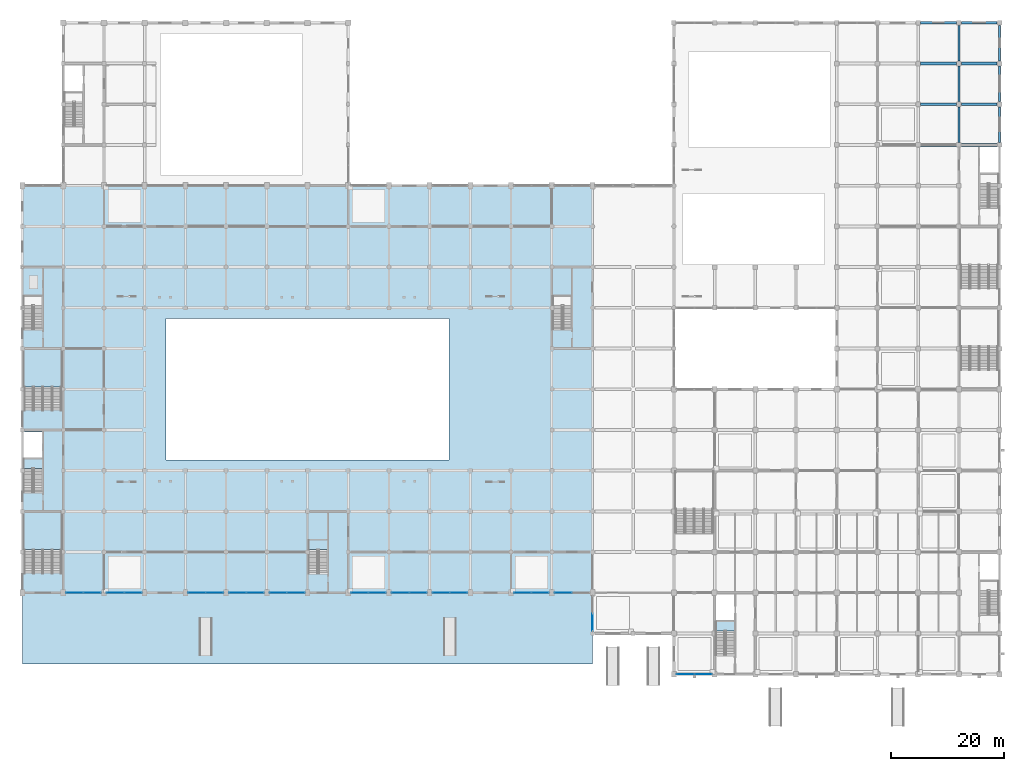
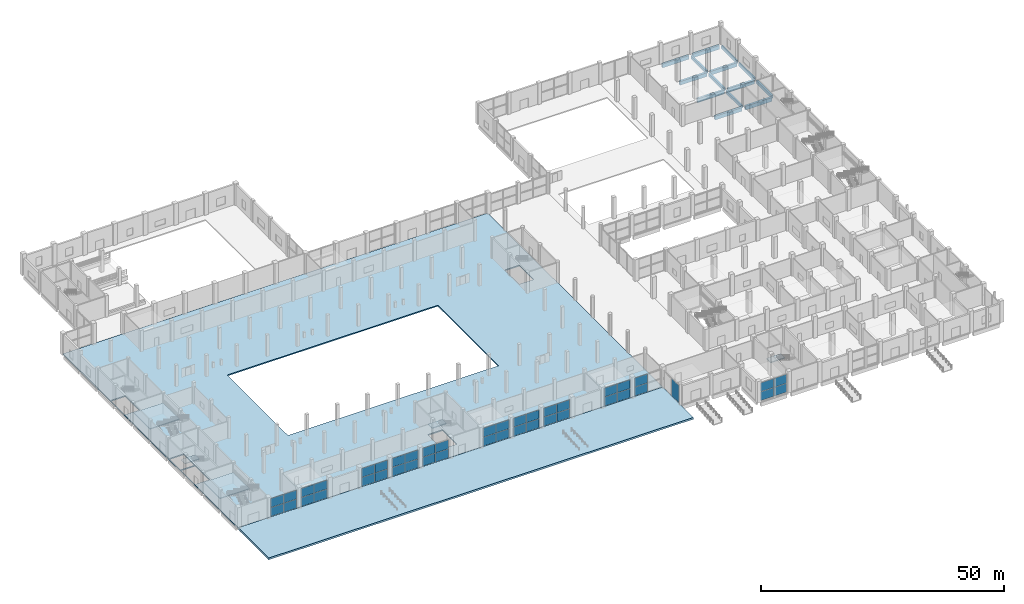
# One storey, part 41 of 70: 43 plates, 14 beams, 7 slabs, 17 elements without a shape of their own.
"""IFC4 building model written with IfcOpenShell, lengths in metres."""

from ifc_helpers import new_model, si_unit, direction, frame, origin, origin_2d, place, context, subcontext, project, spatial, polyline, rectangle, outline, extrude, material, layer, layer_set, material_profile, profile_set, type_object, element, aggregate, save


model = new_model("IFC4")

# Units and contexts
model_context = context("Model", 3, precision=1e-05, world=origin(), true_north=direction((0.0, 1.0)))
body_context = subcontext(model_context, "Body", "Model", "MODEL_VIEW")
ifc_project = project(units=[si_unit("LENGTHUNIT", "METRE"), si_unit("AREAUNIT", "SQUARE_METRE"), si_unit("VOLUMEUNIT", "CUBIC_METRE"), si_unit("PLANEANGLEUNIT", "RADIAN"), si_unit("MASSUNIT", "GRAM", prefix="KILO")], contexts=[model_context])

# Site, building, storey
site_placement = place(None, origin())
site = spatial("IfcSite", under=ifc_project, at=site_placement, CompositionType="ELEMENT")
building_placement = place(site_placement, origin())
building = spatial("IfcBuilding", under=site, at=building_placement, Name="Vesperath Aquatics Centre", CompositionType="ELEMENT")
storey_placement = place(building_placement, origin())
storey = spatial("IfcBuildingStorey", under=building, at=storey_placement, Name="L00", CompositionType="ELEMENT", Elevation=0.0)

# Beams
ifc_material_1 = material(Name="Concrete C40", Category="concrete")
ifc_material_profile_1 = material_profile(ifc_material_1, rectangle(XDim=0.5, YDim=0.949951171875, at=origin_2d()), Name="RC 500x950")
ifc_profile_set_1 = profile_set([ifc_material_profile_1], Name="Concrete C40")
beam_type_1 = type_object("IfcBeamType", Name="BM-G02", PredefinedType="BEAM", material=ifc_profile_set_1)
for number, where, z_axis, x_axis, name in (
    (1, (158.85009765625, 93.60009765625, -0.7548828125), (1.0, 0.0, 0.0), (0.0, 1.0, 0.0), "Floor Girder B02 L00 P 23-24"),
    (2, (158.85009765625, 100.800048828125, -0.7548828125), (1.0, 0.0, 0.0), (0.0, 1.0, 0.0), "Floor Girder B02 L00 Q 23-24"),
    (3, (158.85009765625, 108.0, -0.7548828125), (1.0, 0.0, 0.0), (0.0, 1.0, 0.0), "Floor Girder B02 L00 R 23-24"),
    (4, (158.85009765625, 115.199951171875, -0.7548828125), (1.0, 0.0, 0.0), (0.0, 1.0, 0.0), "Floor Girder B02 L00 S 23-24"),
):
    element("IfcBeam", number, at=place(storey_placement, frame(where, z_axis=z_axis, x_axis=x_axis)), inside=storey, type_object=beam_type_1, Name=name, PredefinedType="BEAM", context=body_context, shape_type="SweptSolid", body=[
        extrude(rectangle(XDim=0.5, YDim=0.949951171875, at=origin_2d()), origin(), (0.0, 0.0, 1.0), 6.2998046875),
    ])
for number, where, z_axis, x_axis, name in (
    (5, (166.050048828125, 93.60009765625, -0.7548828125), (1.0, 0.0, 0.0), (0.0, 1.0, 0.0), "Floor Girder B02 L00 P 24-25"),
    (6, (166.050048828125, 100.800048828125, -0.7548828125), (1.0, 0.0, 0.0), (0.0, 1.0, 0.0), "Floor Girder B02 L00 Q 24-25"),
    (7, (166.050048828125, 108.0, -0.7548828125), (1.0, 0.0, 0.0), (0.0, 1.0, 0.0), "Floor Girder B02 L00 R 24-25"),
    (8, (166.050048828125, 115.199951171875, -0.7548828125), (1.0, 0.0, 0.0), (0.0, 1.0, 0.0), "Floor Girder B02 L00 S 24-25"),
):
    element("IfcBeam", number, at=place(storey_placement, frame(where, z_axis=z_axis, x_axis=x_axis)), inside=storey, type_object=beam_type_1, Name=name, PredefinedType="BEAM", context=body_context, shape_type="SweptSolid", body=[
        extrude(rectangle(XDim=0.5, YDim=0.949951171875, at=origin_2d()), origin(), (0.0, 0.0, 1.0), 6.300048828125),
    ])
ifc_material_2 = material(Name="Concrete C35", Category="concrete")
ifc_material_profile_2 = material_profile(ifc_material_2, rectangle(XDim=0.39990234375, YDim=0.75, at=origin_2d()), Name="RC 400x750")
ifc_profile_set_2 = profile_set([ifc_material_profile_2], Name="Concrete C35")
beam_type_2 = type_object("IfcBeamType", Name="BM-G04", PredefinedType="BEAM", material=ifc_profile_set_2)
for number, where, z_axis, x_axis, name in (
    (9, (165.60009765625, 94.050048828125, -0.655029296875), (0.0, 1.0, 0.0), (-1.0, 0.0, 0.0), "Floor Girder B04 L00 24 P-Q"),
    (10, (165.60009765625, 101.25, -0.655029296875), (0.0, 1.0, 0.0), (-1.0, 0.0, 0.0), "Floor Girder B04 L00 24 Q-R"),
    (11, (165.60009765625, 108.449951171875, -0.655029296875), (0.0, 1.0, 0.0), (-1.0, 0.0, 0.0), "Floor Girder B04 L00 24 R-S"),
    (12, (172.800048828125, 94.050048828125, -0.655029296875), (0.0, 1.0, 0.0), (-1.0, 0.0, 0.0), "Floor Girder B04 L00 25 P-Q"),
    (13, (172.800048828125, 101.25, -0.655029296875), (0.0, 1.0, 0.0), (-1.0, 0.0, 0.0), "Floor Girder B04 L00 25 Q-R"),
    (14, (172.800048828125, 108.449951171875, -0.655029296875), (0.0, 1.0, 0.0), (-1.0, 0.0, 0.0), "Floor Girder B04 L00 25 R-S"),
):
    element("IfcBeam", number, at=place(storey_placement, frame(where, z_axis=z_axis, x_axis=x_axis)), inside=storey, type_object=beam_type_2, Name=name, PredefinedType="BEAM", context=body_context, shape_type="SweptSolid", body=[
        extrude(rectangle(XDim=0.39990234375, YDim=0.75, at=origin_2d()), origin(), (0.0, 0.0, 1.0), 6.300048828125),
    ])

# Curtain wall, plates
ifc_material_3 = material(Name="Thermally broken anodised bronze aluminium curtain wall", Category="aluminium")
curtain_wall_type = type_object("IfcCurtainWallType", Name="CW-01", PredefinedType="NOTDEFINED", material=ifc_material_3)
curtain_wall_1_placement = place(storey_placement, origin())
curtain_wall_1 = element("IfcCurtainWall", 15, at=curtain_wall_1_placement, inside=storey, type_object=curtain_wall_type, Name="Facade Curtain Wall CW01 L00_S_16_00", PredefinedType="NOTDEFINED")
ifc_material_4 = material(Name="Triple low-E argon insulated vision glass", Category="glass")
ifc_layer_1 = layer(ifc_material_4, 0.035888671875)
ifc_layer_set_1 = layer_set([ifc_layer_1], Name="Triple low-E argon insulated vision glass")
plate_type = type_object("IfcPlateType", Name="PT-CWP01", PredefinedType="CURTAIN_PANEL", material=ifc_layer_set_1)
plate_1_placement = place(storey_placement, frame((117.24365234375, 0.0, 0.074951171875), z_axis=(0.0, 0.0, 1.0), x_axis=(1.0, 0.0, 0.0)))
plate_1 = element("IfcPlate", 16, at=plate_1_placement, type_object=plate_type, Name="CW01 panel 1.1", PredefinedType="CURTAIN_PANEL", context=body_context, shape_type="SweptSolid", body=[
    extrude(rectangle(XDim=3.03759765625, YDim=0.035888671875, at=origin_2d()), origin(), (0.0, 0.0, 1.0), 2.20751953125),
])
plate_2_placement = place(storey_placement, frame((117.24365234375, 0.0, 2.357421875), z_axis=(0.0, 0.0, 1.0), x_axis=(1.0, 0.0, 0.0)))
plate_2 = element("IfcPlate", 17, at=plate_2_placement, type_object=plate_type, Name="CW01 panel 1.2", PredefinedType="CURTAIN_PANEL", context=body_context, shape_type="SweptSolid", body=[
    extrude(rectangle(XDim=3.03759765625, YDim=0.035888671875, at=origin_2d()), origin(), (0.0, 0.0, 1.0), 2.20751953125),
])
plate_3_placement = place(storey_placement, frame((120.356201171875, 0.0, 0.074951171875), z_axis=(0.0, 0.0, 1.0), x_axis=(1.0, 0.0, 0.0)))
plate_3 = element("IfcPlate", 18, at=plate_3_placement, type_object=plate_type, Name="CW01 panel 2.1", PredefinedType="CURTAIN_PANEL", context=body_context, shape_type="SweptSolid", body=[
    extrude(rectangle(XDim=3.03759765625, YDim=0.035888671875, at=origin_2d()), origin(), (0.0, 0.0, 1.0), 2.20751953125),
])
plate_4_placement = place(storey_placement, frame((120.356201171875, 0.0, 2.357421875), z_axis=(0.0, 0.0, 1.0), x_axis=(1.0, 0.0, 0.0)))
plate_4 = element("IfcPlate", 19, at=plate_4_placement, type_object=plate_type, Name="CW01 panel 2.2", PredefinedType="CURTAIN_PANEL", context=body_context, shape_type="SweptSolid", body=[
    extrude(rectangle(XDim=3.03759765625, YDim=0.035888671875, at=origin_2d()), origin(), (0.0, 0.0, 1.0), 2.20751953125),
])
aggregate(curtain_wall_1, [plate_1, plate_2, plate_3, plate_4])

curtain_wall_2_placement = place(storey_placement, origin())
curtain_wall_2 = element("IfcCurtainWall", 20, at=curtain_wall_2_placement, inside=storey, type_object=curtain_wall_type, Name="Facade Curtain Wall CW01 L00_S_01_02", PredefinedType="NOTDEFINED")
plate_5_placement = place(storey_placement, frame((9.24365234375, 14.39990234375, 0.074951171875), z_axis=(0.0, 0.0, 1.0), x_axis=(1.0, 0.0, 0.0)))
plate_5 = element("IfcPlate", 21, at=plate_5_placement, type_object=plate_type, Name="CW01 panel 1.1", PredefinedType="CURTAIN_PANEL", context=body_context, shape_type="SweptSolid", body=[
    extrude(rectangle(XDim=3.03759765625, YDim=0.035888671875, at=origin_2d()), origin(), (0.0, 0.0, 1.0), 2.20751953125),
])
plate_6_placement = place(storey_placement, frame((9.24365234375, 14.39990234375, 2.357421875), z_axis=(0.0, 0.0, 1.0), x_axis=(1.0, 0.0, 0.0)))
plate_6 = element("IfcPlate", 22, at=plate_6_placement, type_object=plate_type, Name="CW01 panel 1.2", PredefinedType="CURTAIN_PANEL", context=body_context, shape_type="SweptSolid", body=[
    extrude(rectangle(XDim=3.03759765625, YDim=0.035888671875, at=origin_2d()), origin(), (0.0, 0.0, 1.0), 2.20751953125),
])
plate_7_placement = place(storey_placement, frame((12.356201171875, 14.39990234375, 0.074951171875), z_axis=(0.0, 0.0, 1.0), x_axis=(1.0, 0.0, 0.0)))
plate_7 = element("IfcPlate", 23, at=plate_7_placement, type_object=plate_type, Name="CW01 panel 2.1", PredefinedType="CURTAIN_PANEL", context=body_context, shape_type="SweptSolid", body=[
    extrude(rectangle(XDim=3.03759765625, YDim=0.035888671875, at=origin_2d()), origin(), (0.0, 0.0, 1.0), 2.20751953125),
])
plate_8_placement = place(storey_placement, frame((12.356201171875, 14.39990234375, 2.357421875), z_axis=(0.0, 0.0, 1.0), x_axis=(1.0, 0.0, 0.0)))
plate_8 = element("IfcPlate", 24, at=plate_8_placement, type_object=plate_type, Name="CW01 panel 2.2", PredefinedType="CURTAIN_PANEL", context=body_context, shape_type="SweptSolid", body=[
    extrude(rectangle(XDim=3.03759765625, YDim=0.035888671875, at=origin_2d()), origin(), (0.0, 0.0, 1.0), 2.20751953125),
])
aggregate(curtain_wall_2, [plate_5, plate_6, plate_7, plate_8])

curtain_wall_3_placement = place(storey_placement, origin())
curtain_wall_3 = element("IfcCurtainWall", 25, at=curtain_wall_3_placement, inside=storey, type_object=curtain_wall_type, Name="Facade Curtain Wall CW01 L00_S_02_02", PredefinedType="NOTDEFINED")
plate_9_placement = place(storey_placement, frame((16.44384765625, 14.39990234375, 0.074951171875), z_axis=(0.0, 0.0, 1.0), x_axis=(1.0, 0.0, 0.0)))
plate_9 = element("IfcPlate", 26, at=plate_9_placement, type_object=plate_type, Name="CW01 panel 1.1", PredefinedType="CURTAIN_PANEL", context=body_context, shape_type="SweptSolid", body=[
    extrude(rectangle(XDim=3.03759765625, YDim=0.035888671875, at=origin_2d()), origin(), (0.0, 0.0, 1.0), 2.20751953125),
])
plate_10_placement = place(storey_placement, frame((16.44384765625, 14.39990234375, 2.357421875), z_axis=(0.0, 0.0, 1.0), x_axis=(1.0, 0.0, 0.0)))
plate_10 = element("IfcPlate", 27, at=plate_10_placement, type_object=plate_type, Name="CW01 panel 1.2", PredefinedType="CURTAIN_PANEL", context=body_context, shape_type="SweptSolid", body=[
    extrude(rectangle(XDim=3.03759765625, YDim=0.035888671875, at=origin_2d()), origin(), (0.0, 0.0, 1.0), 2.20751953125),
])
plate_11_placement = place(storey_placement, frame((19.55615234375, 14.39990234375, 0.074951171875), z_axis=(0.0, 0.0, 1.0), x_axis=(1.0, 0.0, 0.0)))
plate_11 = element("IfcPlate", 28, at=plate_11_placement, type_object=plate_type, Name="CW01 panel 2.1", PredefinedType="CURTAIN_PANEL", context=body_context, shape_type="SweptSolid", body=[
    extrude(rectangle(XDim=3.03759765625, YDim=0.035888671875, at=origin_2d()), origin(), (0.0, 0.0, 1.0), 2.20751953125),
])
plate_12_placement = place(storey_placement, frame((19.55615234375, 14.39990234375, 2.357421875), z_axis=(0.0, 0.0, 1.0), x_axis=(1.0, 0.0, 0.0)))
plate_12 = element("IfcPlate", 29, at=plate_12_placement, type_object=plate_type, Name="CW01 panel 2.2", PredefinedType="CURTAIN_PANEL", context=body_context, shape_type="SweptSolid", body=[
    extrude(rectangle(XDim=3.03759765625, YDim=0.035888671875, at=origin_2d()), origin(), (0.0, 0.0, 1.0), 2.20751953125),
])
aggregate(curtain_wall_3, [plate_9, plate_10, plate_11, plate_12])

curtain_wall_4_placement = place(storey_placement, origin())
curtain_wall_4 = element("IfcCurtainWall", 30, at=curtain_wall_4_placement, inside=storey, type_object=curtain_wall_type, Name="Facade Curtain Wall CW01 L00_S_04_02", PredefinedType="NOTDEFINED")
plate_13_placement = place(storey_placement, frame((30.84375, 14.39990234375, 0.074951171875), z_axis=(0.0, 0.0, 1.0), x_axis=(1.0, 0.0, 0.0)))
plate_13 = element("IfcPlate", 31, at=plate_13_placement, type_object=plate_type, Name="CW01 panel 1.1", PredefinedType="CURTAIN_PANEL", context=body_context, shape_type="SweptSolid", body=[
    extrude(rectangle(XDim=3.03759765625, YDim=0.035888671875, at=origin_2d()), origin(), (0.0, 0.0, 1.0), 2.20751953125),
])
plate_14_placement = place(storey_placement, frame((30.84375, 14.39990234375, 2.357421875), z_axis=(0.0, 0.0, 1.0), x_axis=(1.0, 0.0, 0.0)))
plate_14 = element("IfcPlate", 32, at=plate_14_placement, type_object=plate_type, Name="CW01 panel 1.2", PredefinedType="CURTAIN_PANEL", context=body_context, shape_type="SweptSolid", body=[
    extrude(rectangle(XDim=3.03759765625, YDim=0.035888671875, at=origin_2d()), origin(), (0.0, 0.0, 1.0), 2.20751953125),
])
plate_15_placement = place(storey_placement, frame((33.956298828125, 14.39990234375, 0.074951171875), z_axis=(0.0, 0.0, 1.0), x_axis=(1.0, 0.0, 0.0)))
plate_15 = element("IfcPlate", 33, at=plate_15_placement, type_object=plate_type, Name="CW01 panel 2.1", PredefinedType="CURTAIN_PANEL", context=body_context, shape_type="SweptSolid", body=[
    extrude(rectangle(XDim=3.03759765625, YDim=0.035888671875, at=origin_2d()), origin(), (0.0, 0.0, 1.0), 2.20751953125),
])
plate_16_placement = place(storey_placement, frame((33.956298828125, 14.39990234375, 2.357421875), z_axis=(0.0, 0.0, 1.0), x_axis=(1.0, 0.0, 0.0)))
plate_16 = element("IfcPlate", 34, at=plate_16_placement, type_object=plate_type, Name="CW01 panel 2.2", PredefinedType="CURTAIN_PANEL", context=body_context, shape_type="SweptSolid", body=[
    extrude(rectangle(XDim=3.03759765625, YDim=0.035888671875, at=origin_2d()), origin(), (0.0, 0.0, 1.0), 2.20751953125),
])
aggregate(curtain_wall_4, [plate_13, plate_14, plate_15, plate_16])

curtain_wall_5_placement = place(storey_placement, origin())
curtain_wall_5 = element("IfcCurtainWall", 35, at=curtain_wall_5_placement, inside=storey, type_object=curtain_wall_type, Name="Facade Curtain Wall CW01 L00_S_05_02", PredefinedType="NOTDEFINED")
plate_17_placement = place(storey_placement, frame((38.043701171875, 14.39990234375, 0.074951171875), z_axis=(0.0, 0.0, 1.0), x_axis=(1.0, 0.0, 0.0)))
plate_17 = element("IfcPlate", 36, at=plate_17_placement, type_object=plate_type, Name="CW01 panel 1.1", PredefinedType="CURTAIN_PANEL", context=body_context, shape_type="SweptSolid", body=[
    extrude(rectangle(XDim=3.03759765625, YDim=0.035888671875, at=origin_2d()), origin(), (0.0, 0.0, 1.0), 2.20751953125),
])
plate_18_placement = place(storey_placement, frame((38.043701171875, 14.39990234375, 2.357421875), z_axis=(0.0, 0.0, 1.0), x_axis=(1.0, 0.0, 0.0)))
plate_18 = element("IfcPlate", 37, at=plate_18_placement, type_object=plate_type, Name="CW01 panel 1.2", PredefinedType="CURTAIN_PANEL", context=body_context, shape_type="SweptSolid", body=[
    extrude(rectangle(XDim=3.03759765625, YDim=0.035888671875, at=origin_2d()), origin(), (0.0, 0.0, 1.0), 2.20751953125),
])
plate_19_placement = place(storey_placement, frame((41.15625, 14.39990234375, 0.074951171875), z_axis=(0.0, 0.0, 1.0), x_axis=(1.0, 0.0, 0.0)))
plate_19 = element("IfcPlate", 38, at=plate_19_placement, type_object=plate_type, Name="CW01 panel 2.1", PredefinedType="CURTAIN_PANEL", context=body_context, shape_type="SweptSolid", body=[
    extrude(rectangle(XDim=3.03759765625, YDim=0.035888671875, at=origin_2d()), origin(), (0.0, 0.0, 1.0), 2.20751953125),
])
plate_20_placement = place(storey_placement, frame((41.15625, 14.39990234375, 2.357421875), z_axis=(0.0, 0.0, 1.0), x_axis=(1.0, 0.0, 0.0)))
plate_20 = element("IfcPlate", 39, at=plate_20_placement, type_object=plate_type, Name="CW01 panel 2.2", PredefinedType="CURTAIN_PANEL", context=body_context, shape_type="SweptSolid", body=[
    extrude(rectangle(XDim=3.03759765625, YDim=0.035888671875, at=origin_2d()), origin(), (0.0, 0.0, 1.0), 2.20751953125),
])
aggregate(curtain_wall_5, [plate_17, plate_18, plate_19, plate_20])

curtain_wall_6_placement = place(storey_placement, origin())
curtain_wall_6 = element("IfcCurtainWall", 40, at=curtain_wall_6_placement, inside=storey, type_object=curtain_wall_type, Name="Facade Curtain Wall CW01 L00_S_06_02", PredefinedType="NOTDEFINED")
plate_21_placement = place(storey_placement, frame((45.24365234375, 14.39990234375, 0.074951171875), z_axis=(0.0, 0.0, 1.0), x_axis=(1.0, 0.0, 0.0)))
plate_21 = element("IfcPlate", 41, at=plate_21_placement, type_object=plate_type, Name="CW01 panel 1.1", PredefinedType="CURTAIN_PANEL", context=body_context, shape_type="SweptSolid", body=[
    extrude(rectangle(XDim=3.03759765625, YDim=0.035888671875, at=origin_2d()), origin(), (0.0, 0.0, 1.0), 2.20751953125),
])
plate_22_placement = place(storey_placement, frame((45.24365234375, 14.39990234375, 2.357421875), z_axis=(0.0, 0.0, 1.0), x_axis=(1.0, 0.0, 0.0)))
plate_22 = element("IfcPlate", 42, at=plate_22_placement, type_object=plate_type, Name="CW01 panel 1.2", PredefinedType="CURTAIN_PANEL", context=body_context, shape_type="SweptSolid", body=[
    extrude(rectangle(XDim=3.03759765625, YDim=0.035888671875, at=origin_2d()), origin(), (0.0, 0.0, 1.0), 2.20751953125),
])
plate_23_placement = place(storey_placement, frame((48.356201171875, 14.39990234375, 0.074951171875), z_axis=(0.0, 0.0, 1.0), x_axis=(1.0, 0.0, 0.0)))
plate_23 = element("IfcPlate", 43, at=plate_23_placement, type_object=plate_type, Name="CW01 panel 2.1", PredefinedType="CURTAIN_PANEL", context=body_context, shape_type="SweptSolid", body=[
    extrude(rectangle(XDim=3.03759765625, YDim=0.035888671875, at=origin_2d()), origin(), (0.0, 0.0, 1.0), 2.20751953125),
])
plate_24_placement = place(storey_placement, frame((48.356201171875, 14.39990234375, 2.357421875), z_axis=(0.0, 0.0, 1.0), x_axis=(1.0, 0.0, 0.0)))
plate_24 = element("IfcPlate", 44, at=plate_24_placement, type_object=plate_type, Name="CW01 panel 2.2", PredefinedType="CURTAIN_PANEL", context=body_context, shape_type="SweptSolid", body=[
    extrude(rectangle(XDim=3.03759765625, YDim=0.035888671875, at=origin_2d()), origin(), (0.0, 0.0, 1.0), 2.20751953125),
])
aggregate(curtain_wall_6, [plate_21, plate_22, plate_23, plate_24])

curtain_wall_7_placement = place(storey_placement, origin())
curtain_wall_7 = element("IfcCurtainWall", 45, at=curtain_wall_7_placement, inside=storey, type_object=curtain_wall_type, Name="Facade Curtain Wall CW01 L00_S_08_02", PredefinedType="NOTDEFINED")
plate_25_placement = place(storey_placement, frame((59.643798828125, 14.39990234375, 0.074951171875), z_axis=(0.0, 0.0, 1.0), x_axis=(1.0, 0.0, 0.0)))
plate_25 = element("IfcPlate", 46, at=plate_25_placement, type_object=plate_type, Name="CW01 panel 1.1", PredefinedType="CURTAIN_PANEL", context=body_context, shape_type="SweptSolid", body=[
    extrude(rectangle(XDim=3.03759765625, YDim=0.035888671875, at=origin_2d()), origin(), (0.0, 0.0, 1.0), 2.20751953125),
])
plate_26_placement = place(storey_placement, frame((59.643798828125, 14.39990234375, 2.357421875), z_axis=(0.0, 0.0, 1.0), x_axis=(1.0, 0.0, 0.0)))
plate_26 = element("IfcPlate", 47, at=plate_26_placement, type_object=plate_type, Name="CW01 panel 1.2", PredefinedType="CURTAIN_PANEL", context=body_context, shape_type="SweptSolid", body=[
    extrude(rectangle(XDim=3.03759765625, YDim=0.035888671875, at=origin_2d()), origin(), (0.0, 0.0, 1.0), 2.20751953125),
])
plate_27_placement = place(storey_placement, frame((62.75634765625, 14.39990234375, 0.074951171875), z_axis=(0.0, 0.0, 1.0), x_axis=(1.0, 0.0, 0.0)))
plate_27 = element("IfcPlate", 48, at=plate_27_placement, type_object=plate_type, Name="CW01 panel 2.1", PredefinedType="CURTAIN_PANEL", context=body_context, shape_type="SweptSolid", body=[
    extrude(rectangle(XDim=3.03759765625, YDim=0.035888671875, at=origin_2d()), origin(), (0.0, 0.0, 1.0), 2.20751953125),
])
plate_28_placement = place(storey_placement, frame((62.75634765625, 14.39990234375, 2.357421875), z_axis=(0.0, 0.0, 1.0), x_axis=(1.0, 0.0, 0.0)))
plate_28 = element("IfcPlate", 49, at=plate_28_placement, type_object=plate_type, Name="CW01 panel 2.2", PredefinedType="CURTAIN_PANEL", context=body_context, shape_type="SweptSolid", body=[
    extrude(rectangle(XDim=3.03759765625, YDim=0.035888671875, at=origin_2d()), origin(), (0.0, 0.0, 1.0), 2.20751953125),
])
aggregate(curtain_wall_7, [plate_25, plate_26, plate_27, plate_28])

curtain_wall_8_placement = place(storey_placement, origin())
curtain_wall_8 = element("IfcCurtainWall", 50, at=curtain_wall_8_placement, inside=storey, type_object=curtain_wall_type, Name="Facade Curtain Wall CW01 L00_S_09_02", PredefinedType="NOTDEFINED")
plate_29_placement = place(storey_placement, frame((66.84375, 14.39990234375, 0.074951171875), z_axis=(0.0, 0.0, 1.0), x_axis=(1.0, 0.0, 0.0)))
plate_29 = element("IfcPlate", 51, at=plate_29_placement, type_object=plate_type, Name="CW01 panel 1.1", PredefinedType="CURTAIN_PANEL", context=body_context, shape_type="SweptSolid", body=[
    extrude(rectangle(XDim=3.03759765625, YDim=0.035888671875, at=origin_2d()), origin(), (0.0, 0.0, 1.0), 2.20751953125),
])
plate_30_placement = place(storey_placement, frame((66.84375, 14.39990234375, 2.357421875), z_axis=(0.0, 0.0, 1.0), x_axis=(1.0, 0.0, 0.0)))
plate_30 = element("IfcPlate", 52, at=plate_30_placement, type_object=plate_type, Name="CW01 panel 1.2", PredefinedType="CURTAIN_PANEL", context=body_context, shape_type="SweptSolid", body=[
    extrude(rectangle(XDim=3.03759765625, YDim=0.035888671875, at=origin_2d()), origin(), (0.0, 0.0, 1.0), 2.20751953125),
])
plate_31_placement = place(storey_placement, frame((69.956298828125, 14.39990234375, 0.074951171875), z_axis=(0.0, 0.0, 1.0), x_axis=(1.0, 0.0, 0.0)))
plate_31 = element("IfcPlate", 53, at=plate_31_placement, type_object=plate_type, Name="CW01 panel 2.1", PredefinedType="CURTAIN_PANEL", context=body_context, shape_type="SweptSolid", body=[
    extrude(rectangle(XDim=3.03759765625, YDim=0.035888671875, at=origin_2d()), origin(), (0.0, 0.0, 1.0), 2.20751953125),
])
plate_32_placement = place(storey_placement, frame((69.956298828125, 14.39990234375, 2.357421875), z_axis=(0.0, 0.0, 1.0), x_axis=(1.0, 0.0, 0.0)))
plate_32 = element("IfcPlate", 54, at=plate_32_placement, type_object=plate_type, Name="CW01 panel 2.2", PredefinedType="CURTAIN_PANEL", context=body_context, shape_type="SweptSolid", body=[
    extrude(rectangle(XDim=3.03759765625, YDim=0.035888671875, at=origin_2d()), origin(), (0.0, 0.0, 1.0), 2.20751953125),
])
aggregate(curtain_wall_8, [plate_29, plate_30, plate_31, plate_32])

curtain_wall_9_placement = place(storey_placement, origin())
curtain_wall_9 = element("IfcCurtainWall", 55, at=curtain_wall_9_placement, inside=storey, type_object=curtain_wall_type, Name="Facade Curtain Wall CW01 L00_S_10_02", PredefinedType="NOTDEFINED")
plate_33_placement = place(storey_placement, frame((74.043701171875, 14.39990234375, 0.074951171875), z_axis=(0.0, 0.0, 1.0), x_axis=(1.0, 0.0, 0.0)))
plate_33 = element("IfcPlate", 56, at=plate_33_placement, type_object=plate_type, Name="CW01 panel 1.1", PredefinedType="CURTAIN_PANEL", context=body_context, shape_type="SweptSolid", body=[
    extrude(rectangle(XDim=3.03759765625, YDim=0.035888671875, at=origin_2d()), origin(), (0.0, 0.0, 1.0), 2.20751953125),
])
plate_34_placement = place(storey_placement, frame((74.043701171875, 14.39990234375, 2.357421875), z_axis=(0.0, 0.0, 1.0), x_axis=(1.0, 0.0, 0.0)))
plate_34 = element("IfcPlate", 57, at=plate_34_placement, type_object=plate_type, Name="CW01 panel 1.2", PredefinedType="CURTAIN_PANEL", context=body_context, shape_type="SweptSolid", body=[
    extrude(rectangle(XDim=3.03759765625, YDim=0.035888671875, at=origin_2d()), origin(), (0.0, 0.0, 1.0), 2.20751953125),
])
plate_35_placement = place(storey_placement, frame((77.15625, 14.39990234375, 0.074951171875), z_axis=(0.0, 0.0, 1.0), x_axis=(1.0, 0.0, 0.0)))
plate_35 = element("IfcPlate", 58, at=plate_35_placement, type_object=plate_type, Name="CW01 panel 2.1", PredefinedType="CURTAIN_PANEL", context=body_context, shape_type="SweptSolid", body=[
    extrude(rectangle(XDim=3.03759765625, YDim=0.035888671875, at=origin_2d()), origin(), (0.0, 0.0, 1.0), 2.20751953125),
])
plate_36_placement = place(storey_placement, frame((77.15625, 14.39990234375, 2.357421875), z_axis=(0.0, 0.0, 1.0), x_axis=(1.0, 0.0, 0.0)))
plate_36 = element("IfcPlate", 59, at=plate_36_placement, type_object=plate_type, Name="CW01 panel 2.2", PredefinedType="CURTAIN_PANEL", context=body_context, shape_type="SweptSolid", body=[
    extrude(rectangle(XDim=3.03759765625, YDim=0.035888671875, at=origin_2d()), origin(), (0.0, 0.0, 1.0), 2.20751953125),
])
aggregate(curtain_wall_9, [plate_33, plate_34, plate_35, plate_36])

curtain_wall_10_placement = place(storey_placement, origin())
curtain_wall_10 = element("IfcCurtainWall", 60, at=curtain_wall_10_placement, inside=storey, type_object=curtain_wall_type, Name="Facade Curtain Wall CW01 L00_S_12_02", PredefinedType="NOTDEFINED")
plate_37_placement = place(storey_placement, frame((88.44384765625, 14.39990234375, 0.074951171875), z_axis=(0.0, 0.0, 1.0), x_axis=(1.0, 0.0, 0.0)))
plate_37 = element("IfcPlate", 61, at=plate_37_placement, type_object=plate_type, Name="CW01 panel 1.1", PredefinedType="CURTAIN_PANEL", context=body_context, shape_type="SweptSolid", body=[
    extrude(rectangle(XDim=3.03759765625, YDim=0.035888671875, at=origin_2d()), origin(), (0.0, 0.0, 1.0), 2.20751953125),
])
plate_38_placement = place(storey_placement, frame((88.44384765625, 14.39990234375, 2.357421875), z_axis=(0.0, 0.0, 1.0), x_axis=(1.0, 0.0, 0.0)))
plate_38 = element("IfcPlate", 62, at=plate_38_placement, type_object=plate_type, Name="CW01 panel 1.2", PredefinedType="CURTAIN_PANEL", context=body_context, shape_type="SweptSolid", body=[
    extrude(rectangle(XDim=3.03759765625, YDim=0.035888671875, at=origin_2d()), origin(), (0.0, 0.0, 1.0), 2.20751953125),
])
plate_39_placement = place(storey_placement, frame((91.55615234375, 14.39990234375, 0.074951171875), z_axis=(0.0, 0.0, 1.0), x_axis=(1.0, 0.0, 0.0)))
plate_39 = element("IfcPlate", 63, at=plate_39_placement, type_object=plate_type, Name="CW01 panel 2.1", PredefinedType="CURTAIN_PANEL", context=body_context, shape_type="SweptSolid", body=[
    extrude(rectangle(XDim=3.03759765625, YDim=0.035888671875, at=origin_2d()), origin(), (0.0, 0.0, 1.0), 2.20751953125),
])
plate_40_placement = place(storey_placement, frame((91.55615234375, 14.39990234375, 2.357421875), z_axis=(0.0, 0.0, 1.0), x_axis=(1.0, 0.0, 0.0)))
plate_40 = element("IfcPlate", 64, at=plate_40_placement, type_object=plate_type, Name="CW01 panel 2.2", PredefinedType="CURTAIN_PANEL", context=body_context, shape_type="SweptSolid", body=[
    extrude(rectangle(XDim=3.03759765625, YDim=0.035888671875, at=origin_2d()), origin(), (0.0, 0.0, 1.0), 2.20751953125),
])
aggregate(curtain_wall_10, [plate_37, plate_38, plate_39, plate_40])

curtain_wall_11_placement = place(storey_placement, origin())
curtain_wall_11 = element("IfcCurtainWall", 65, at=curtain_wall_11_placement, inside=storey, type_object=curtain_wall_type, Name="Facade Curtain Wall CW01 L00_S_13_02", PredefinedType="NOTDEFINED")
plate_41_placement = place(storey_placement, frame((95.643798828125, 14.39990234375, 0.074951171875), z_axis=(0.0, 0.0, 1.0), x_axis=(1.0, 0.0, 0.0)))
plate_41 = element("IfcPlate", 66, at=plate_41_placement, type_object=plate_type, Name="CW01 panel 1.1", PredefinedType="CURTAIN_PANEL", context=body_context, shape_type="SweptSolid", body=[
    extrude(rectangle(XDim=3.03759765625, YDim=0.035888671875, at=origin_2d()), origin(), (0.0, 0.0, 1.0), 2.20751953125),
])
plate_42_placement = place(storey_placement, frame((95.643798828125, 14.39990234375, 2.357421875), z_axis=(0.0, 0.0, 1.0), x_axis=(1.0, 0.0, 0.0)))
plate_42 = element("IfcPlate", 67, at=plate_42_placement, type_object=plate_type, Name="CW01 panel 1.2", PredefinedType="CURTAIN_PANEL", context=body_context, shape_type="SweptSolid", body=[
    extrude(rectangle(XDim=3.03759765625, YDim=0.035888671875, at=origin_2d()), origin(), (0.0, 0.0, 1.0), 2.20751953125),
])
aggregate(curtain_wall_11, [plate_41, plate_42])

# Curtain wall, plate
curtain_wall_12_placement = place(storey_placement, origin())
curtain_wall_12 = element("IfcCurtainWall", 68, at=curtain_wall_12_placement, inside=storey, type_object=curtain_wall_type, Name="Facade Curtain Wall CW01 L00_W_14_01", PredefinedType="NOTDEFINED")
plate_43_placement = place(storey_placement, frame((100.800048828125, 9.18115234375, 0.0751953125), z_axis=(0.0, 0.0, 1.0), x_axis=(0.0, 1.0, 0.0)))
plate_43 = element("IfcPlate", 69, at=plate_43_placement, type_object=plate_type, Name="CW01 panel 1.1", PredefinedType="CURTAIN_PANEL", context=body_context, shape_type="SweptSolid", body=[
    extrude(rectangle(XDim=3.012451171875, YDim=0.035888671875, at=origin_2d()), origin(), (0.0, 0.0, 1.0), 4.340087890625),
])
aggregate(curtain_wall_12, [plate_43])

# Slabs
ifc_layer_2 = layer(ifc_material_1, 0.43994140625)
ifc_layer_set_2 = layer_set([ifc_layer_2], Name="Concrete C40")
slab_type_1 = type_object("IfcSlabType", Name="SL-BS02", PredefinedType="BASESLAB", material=ifc_layer_set_2)
slab_1_placement = place(storey_placement, frame((0.0, 0.0, -0.449951171875)))
element("IfcSlab", 70, at=slab_1_placement, inside=storey, type_object=slab_type_1, Name="South Boulevard Covered Walk Granite Plinth BS01", PredefinedType="BASESLAB", context=body_context, shape_type="SweptSolid", body=[
    extrude(outline(polyline([(0.0, 1.800048828125), (100.800048828125, 1.800048828125), (100.800048828125, 14.3798828125), (0.0, 14.3798828125), (0.0, 1.800048828125)])), origin(), (0.0, 0.0, 1.0), 0.449951171875),
])
ifc_layer_3 = layer(ifc_material_2, 0.280029296875)
ifc_layer_set_3 = layer_set([ifc_layer_3], Name="Concrete C35")
slab_type_2 = type_object("IfcSlabType", Name="SL-FL01", PredefinedType="FLOOR", material=ifc_layer_set_3)
slab_2_placement = place(storey_placement, frame((0.0, 0.0, -0.280029296875)))
element("IfcSlab", 71, at=slab_2_placement, inside=storey, type_object=slab_type_2, Name="Competition Pool Deck Slab SL01 L00", PredefinedType="FLOOR", context=body_context, shape_type="SweptSolid", body=[
    extrude(outline(polyline([(0.0, 14.39990234375), (100.800048828125, 14.39990234375), (100.800048828125, 86.39990234375), (0.0, 86.39990234375), (0.0, 14.39990234375)]), holes=[polyline([(0.080078125, 32.25), (3.5400390625, 32.25), (3.5400390625, 38.159912109375), (0.080078125, 38.159912109375), (0.080078125, 32.25)]), polyline([(0.080078125, 38.340087890625), (3.5400390625, 38.340087890625), (3.5400390625, 42.8798828125), (0.080078125, 42.8798828125), (0.080078125, 38.340087890625)]), polyline([(0.080078125, 61.050048828125), (3.5400390625, 61.050048828125), (3.5400390625, 66.9599609375), (0.080078125, 66.9599609375), (0.080078125, 61.050048828125)]), polyline([(93.679931640625, 61.050048828125), (97.139892578125, 61.050048828125), (97.139892578125, 66.9599609375), (93.679931640625, 66.9599609375), (93.679931640625, 61.050048828125)]), polyline([(50.47998046875, 17.85009765625), (53.93994140625, 17.85009765625), (53.93994140625, 23.760009765625), (50.47998046875, 23.760009765625), (50.47998046875, 17.85009765625)]), polyline([(25.389892578125, 37.89990234375), (75.409912109375, 37.89990234375), (75.409912109375, 62.89990234375), (25.389892578125, 62.89990234375), (25.389892578125, 37.89990234375)])]), origin(), (0.0, 0.0, 1.0), 0.280029296875),
])

# Stair, slab
stair_type_1 = type_object("IfcStairType", Name="ST-HT54", PredefinedType="HALF_TURN_STAIR", material=ifc_material_2)
stair_1_placement = place(storey_placement, origin())
stair_1 = element("IfcStair", 72, at=stair_1_placement, inside=storey, type_object=stair_type_1, Name="Enclosed Exit Stair ST1 L00", PredefinedType="HALF_TURN_STAIR")
ifc_layer_4 = layer(ifc_material_2, 0.199951171875)
ifc_layer_set_4 = layer_set([ifc_layer_4], Name="Concrete C35")
slab_type_3 = type_object("IfcSlabType", Name="SL-LND1", PredefinedType="LANDING", material=ifc_layer_set_4)
slab_3_placement = place(storey_placement, frame((0.0, 0.0, 2.5)))
slab_3 = element("IfcSlab", 73, at=slab_3_placement, type_object=slab_type_3, Name="Stair ST1 Half-Landing L00", PredefinedType="LANDING", context=body_context, shape_type="SweptSolid", body=[
    extrude(outline(polyline([(0.090087890625, 36.419921875), (3.52001953125, 36.419921875), (3.52001953125, 38.10009765625), (0.090087890625, 38.10009765625), (0.090087890625, 36.419921875)])), origin(), (0.0, 0.0, 1.0), 0.199951171875),
])
aggregate(stair_1, [slab_3])

stair_2_placement = place(storey_placement, origin())
stair_2 = element("IfcStair", 74, at=stair_2_placement, inside=storey, type_object=stair_type_1, Name="Enclosed Exit Stair ST5 L00", PredefinedType="HALF_TURN_STAIR")
slab_4_placement = place(storey_placement, frame((0.0, 0.0, 2.5)))
slab_4 = element("IfcSlab", 75, at=slab_4_placement, type_object=slab_type_3, Name="Stair ST5 Half-Landing L00", PredefinedType="LANDING", context=body_context, shape_type="SweptSolid", body=[
    extrude(outline(polyline([(122.489990234375, 7.6201171875), (125.919921875, 7.6201171875), (125.919921875, 9.300048828125), (122.489990234375, 9.300048828125), (122.489990234375, 7.6201171875)])), origin(), (0.0, 0.0, 1.0), 0.199951171875),
])
aggregate(stair_2, [slab_4])

stair_type_2 = type_object("IfcStairType", Name="ST-HW54", PredefinedType="HALF_TURN_STAIR", material=ifc_material_2)
stair_3_placement = place(storey_placement, origin())
stair_3 = element("IfcStair", 76, at=stair_3_placement, inside=storey, type_object=stair_type_2, Name="Enclosed Exit Stair ST11A L00", PredefinedType="HALF_TURN_STAIR")
slab_5_placement = place(storey_placement, frame((0.0, 0.0, 2.5)))
slab_5 = element("IfcSlab", 77, at=slab_5_placement, type_object=slab_type_3, Name="Stairs ST11A and ST11B Half-Landing L00", PredefinedType="LANDING", context=body_context, shape_type="SweptSolid", body=[
    extrude(outline(polyline([(0.090087890625, 50.820068359375), (7.110107421875, 50.820068359375), (7.110107421875, 57.510009765625), (0.090087890625, 57.510009765625), (0.090087890625, 50.820068359375)])), origin(), (0.0, 0.0, 1.0), 0.199951171875),
])
aggregate(stair_3, [slab_5])

stair_4_placement = place(storey_placement, origin())
stair_4 = element("IfcStair", 78, at=stair_4_placement, inside=storey, type_object=stair_type_1, Name="Enclosed Exit Stair ST9 L00", PredefinedType="HALF_TURN_STAIR")
ifc_layer_5 = layer(ifc_material_2, 0.18994140625)
ifc_layer_set_5 = layer_set([ifc_layer_5], Name="Concrete C35")
slab_type_4 = type_object("IfcSlabType", Name="SL-LND2", PredefinedType="LANDING", material=ifc_layer_set_5)
slab_6_placement = place(storey_placement, frame((0.0, 0.0, 2.510009765625)))
slab_6 = element("IfcSlab", 79, at=slab_6_placement, type_object=slab_type_4, Name="Stair ST9 Half-Landing L00", PredefinedType="LANDING", context=body_context, shape_type="SweptSolid", body=[
    extrude(outline(polyline([(50.489990234375, 22.02001953125), (53.919921875, 22.02001953125), (53.919921875, 23.699951171875), (50.489990234375, 23.699951171875), (50.489990234375, 22.02001953125)])), origin(), (0.0, 0.0, 1.0), 0.18994140625),
])
aggregate(stair_4, [slab_6])

stair_5_placement = place(storey_placement, origin())
stair_5 = element("IfcStair", 80, at=stair_5_placement, inside=storey, type_object=stair_type_2, Name="Enclosed Exit Stair ST10A L00", PredefinedType="HALF_TURN_STAIR")
slab_7_placement = place(storey_placement, frame((0.0, 0.0, 2.510009765625)))
slab_7 = element("IfcSlab", 81, at=slab_7_placement, type_object=slab_type_4, Name="Stairs ST10A and ST10B Half-Landing L00", PredefinedType="LANDING", context=body_context, shape_type="SweptSolid", body=[
    extrude(outline(polyline([(0.090087890625, 22.02001953125), (7.110107421875, 22.02001953125), (7.110107421875, 28.7099609375), (0.090087890625, 28.7099609375), (0.090087890625, 22.02001953125)])), origin(), (0.0, 0.0, 1.0), 0.18994140625),
])
aggregate(stair_5, [slab_7])

save(model, "model.ifc")
